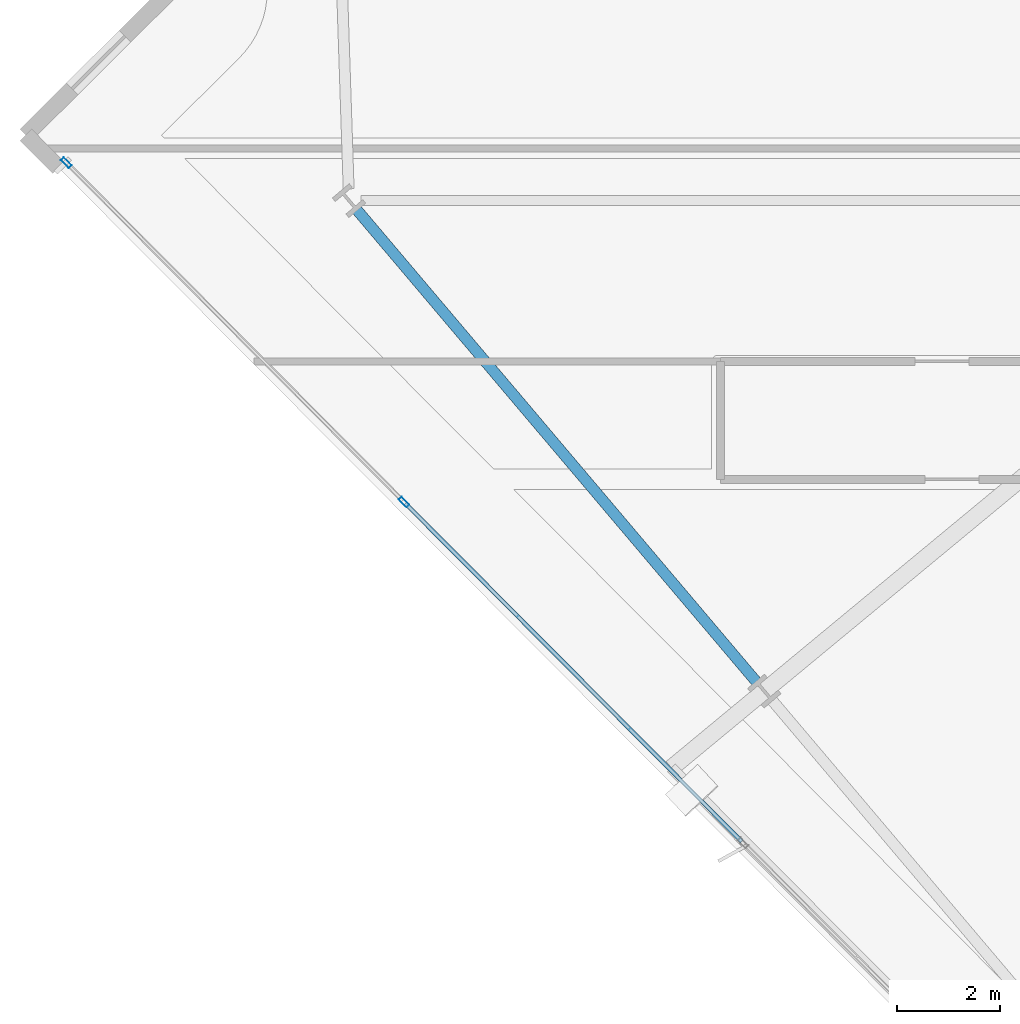
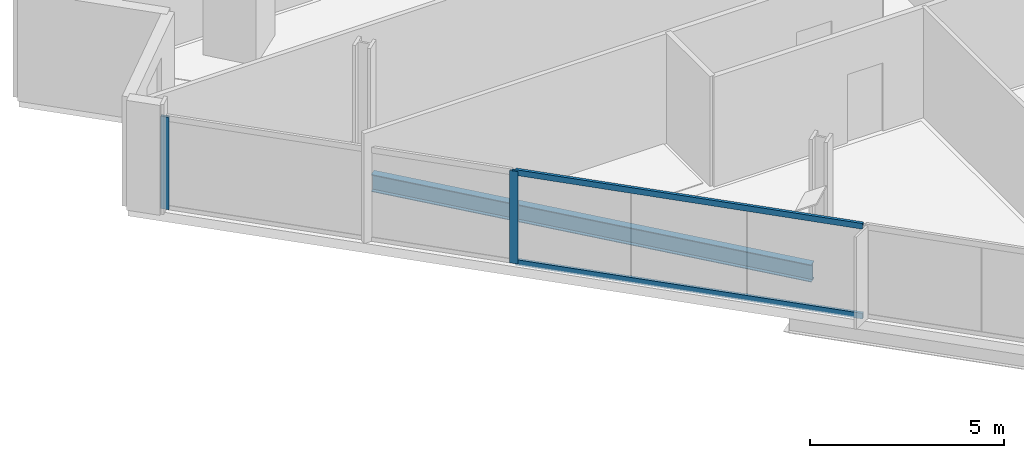
# One storey, part 4 of 32: 4 members, 1 beam, 1 element without a shape of its own.
"""IFC4 building model written with IfcOpenShell, lengths in metres."""

from ifc_helpers import new_model, si_unit, direction, frame, origin, origin_2d, place, context, subcontext, project, spatial, hollow_rectangle, i_section, extrude, material, material_profile, profile_set, type_object, element, aggregate, save


model = new_model("IFC4")

# Units and contexts
model_context = context("Model", 3, precision=1e-05, world=origin(), true_north=direction((0.0, 1.0)))
body_context = subcontext(model_context, "Body", "Model", "MODEL_VIEW")
ifc_project = project(units=[si_unit("LENGTHUNIT", "METRE"), si_unit("AREAUNIT", "SQUARE_METRE"), si_unit("VOLUMEUNIT", "CUBIC_METRE"), si_unit("PLANEANGLEUNIT", "RADIAN"), si_unit("MASSUNIT", "GRAM", prefix="KILO")], contexts=[model_context])

# Site, building, storey
site_placement = place(None, origin())
site = spatial("IfcSite", under=ifc_project, at=site_placement, CompositionType="ELEMENT")
building_placement = place(site_placement, origin())
building = spatial("IfcBuilding", under=site, at=building_placement, Name="Haldenkirk Collegiate Tower", CompositionType="ELEMENT")
storey_placement = place(building_placement, frame((0.0, 0.0, 178.199951171875)))
storey = spatial("IfcBuildingStorey", under=building, at=storey_placement, Name="L44", CompositionType="ELEMENT", Elevation=178.199951171875)

# Beam
ifc_material_1 = material(Name="Steel ASTM A992 Grade 50", Category="steel")
ifc_material_profile_1 = material_profile(ifc_material_1, i_section(OverallWidth=0.2119140625, OverallDepth=0.5439453125, WebThickness=0.01318359375, FlangeThickness=0.021240234375, at=origin_2d()), Name="W21X83")
ifc_profile_set_1 = profile_set([ifc_material_profile_1], Name="Steel ASTM A992 Grade 50")
beam_type = type_object("IfcBeamType", Name="BM-SPANDREL-W21X83", PredefinedType="SPANDREL", material=ifc_profile_set_1)
beam_placement = place(storey_placement, frame((11.111328125, 20.80859375, -0.56201171875), z_axis=(0.646126367676, -0.763230448157, 0.0), x_axis=(0.763230448157, 0.646126367676, 0.0)))
element("IfcBeam", 1, at=beam_placement, inside=storey, type_object=beam_type, Name="L44 perimeter spandrel beam 14", PredefinedType="SPANDREL", context=body_context, shape_type="SweptSolid", body=[
    extrude(i_section(OverallWidth=0.2119140625, OverallDepth=0.5439453125, WebThickness=0.01318359375, FlangeThickness=0.021240234375, at=origin_2d()), origin(), (0.0, 0.0, 1.0), 12.06494140625),
])

# Curtain wall, members
ifc_material_2 = material(Name="Anodised architectural bronze aluminium", Category="aluminium")
curtain_wall_type = type_object("IfcCurtainWallType", Name="CW-SYS1-CONVEX-LOW", PredefinedType="USERDEFINED", material=ifc_material_2)
curtain_wall_placement = place(storey_placement, origin())
curtain_wall = element("IfcCurtainWall", 2, at=curtain_wall_placement, inside=storey, type_object=curtain_wall_type, Name="L44 Lower tower convex bronze-framed unitised curtain wall", ObjectType="UNITISED CURTAIN WALL", PredefinedType="USERDEFINED")
ifc_material_profile_2 = material_profile(ifc_material_2, hollow_rectangle(XDim=0.080078125, YDim=0.219970703125, WallThickness=0.0048828125, at=origin_2d()), Name="CW-MUL-1A")
ifc_profile_set_2 = profile_set([ifc_material_profile_2], Name="Anodised architectural bronze aluminium")
member_type_1 = type_object("IfcMemberType", Name="CW-MUL-1A", PredefinedType="MULLION", material=ifc_profile_set_2)
member_1_placement = place(storey_placement, frame((12.034912109375, 15.1103515625, 0.0), z_axis=(0.0, 0.0, 1.0), x_axis=(-0.708953598447, -0.705255127772, 0.0)))
member_1 = element("IfcMember", 3, at=member_1_placement, type_object=member_type_1, Name="CW-1A mullion 4", PredefinedType="MULLION", context=body_context, shape_type="SweptSolid", body=[
    extrude(hollow_rectangle(XDim=0.080078125, YDim=0.219970703125, WallThickness=0.0048828125, at=origin_2d()), origin(), (0.0, 0.0, 1.0), 2.9111328125),
])
member_2_placement = place(storey_placement, frame((5.455810546875, 21.72412109375, 0.0), z_axis=(0.0, 0.0, 1.0), x_axis=(-0.708953598447, -0.705255127772, 0.0)))
member_2 = element("IfcMember", 4, at=member_2_placement, type_object=member_type_1, Name="CW-1A mullion 5", PredefinedType="MULLION", context=body_context, shape_type="SweptSolid", body=[
    extrude(hollow_rectangle(XDim=0.080078125, YDim=0.219970703125, WallThickness=0.0048828125, at=origin_2d()), origin(), (0.0, 0.0, 1.0), 2.9111328125),
])
ifc_material_profile_3 = material_profile(ifc_material_2, hollow_rectangle(XDim=0.080078125, YDim=0.179931640625, WallThickness=0.0048828125, at=origin_2d()), Name="CW-TRN-1A")
ifc_profile_set_3 = profile_set([ifc_material_profile_3], Name="Anodised architectural bronze aluminium")
member_type_2 = type_object("IfcMemberType", Name="CW-TRN-1A", PredefinedType="USERDEFINED", material=ifc_profile_set_3)
member_3_placement = place(storey_placement, frame((18.614013671875, 8.496826171875, 0.0400390625), z_axis=(-0.70525133371, 0.708957372696, 0.0), x_axis=(-0.708957372696, -0.70525133371, 0.0)))
member_3 = element("IfcMember", 5, at=member_3_placement, type_object=member_type_2, Name="CW-1A transom 3.1", ObjectType="TRANSOM", PredefinedType="USERDEFINED", context=body_context, shape_type="SweptSolid", body=[
    extrude(hollow_rectangle(XDim=0.080078125, YDim=0.179931640625, WallThickness=0.0048828125, at=origin_2d()), origin(), (0.0, 0.0, 1.0), 9.28857421875),
])
member_4_placement = place(storey_placement, frame((18.614013671875, 8.496826171875, 2.87109375), z_axis=(-0.70525133371, 0.708957372696, 0.0), x_axis=(-0.708957372696, -0.70525133371, 0.0)))
member_4 = element("IfcMember", 6, at=member_4_placement, type_object=member_type_2, Name="CW-1A transom 3.2", ObjectType="TRANSOM", PredefinedType="USERDEFINED", context=body_context, shape_type="SweptSolid", body=[
    extrude(hollow_rectangle(XDim=0.080078125, YDim=0.179931640625, WallThickness=0.0048828125, at=origin_2d()), origin(), (0.0, 0.0, 1.0), 9.28857421875),
])
aggregate(curtain_wall, [member_1, member_2, member_3, member_4])

save(model, "model.ifc")
